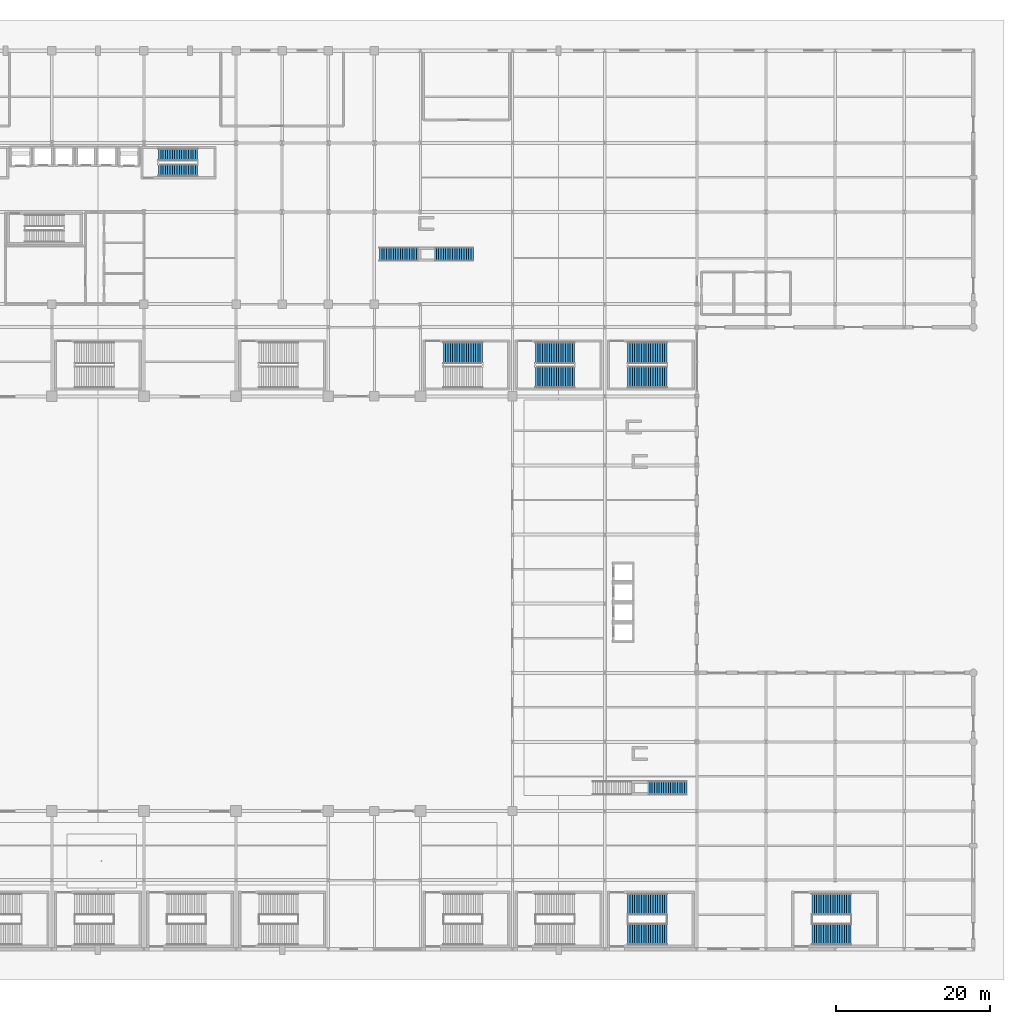
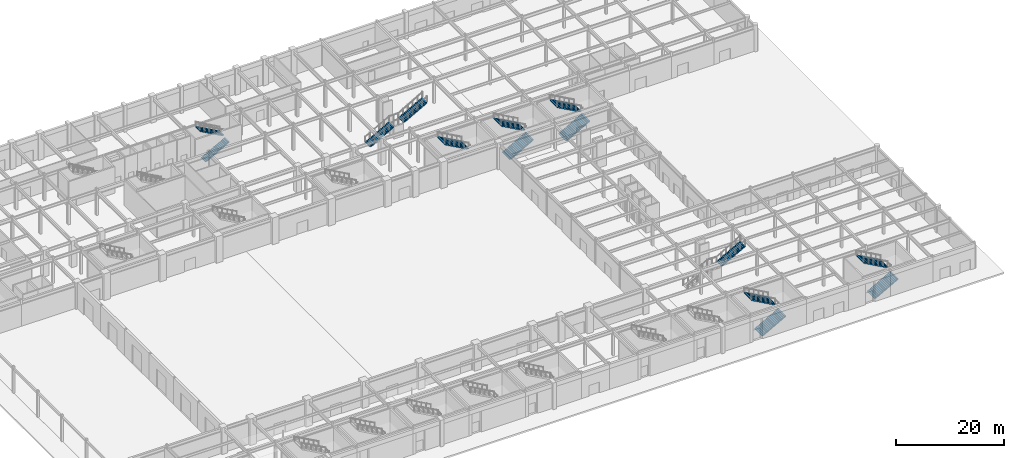
# One storey, part 33 of 44: 14 stair flights, 8 elements without a shape of their own.
"""IFC4 building model written with IfcOpenShell, lengths in metres."""

from ifc_helpers import new_model, si_unit, direction, frame, origin, place, context, subcontext, project, spatial, polyline, outline, extrude, material, type_object, element, aggregate, save


model = new_model("IFC4")

# Units and contexts
model_context = context("Model", 3, precision=1e-05, world=origin(), true_north=direction((0.0, 1.0)))
body_context = subcontext(model_context, "Body", "Model", "MODEL_VIEW")
ifc_project = project(units=[si_unit("LENGTHUNIT", "METRE"), si_unit("AREAUNIT", "SQUARE_METRE"), si_unit("VOLUMEUNIT", "CUBIC_METRE"), si_unit("PLANEANGLEUNIT", "RADIAN"), si_unit("MASSUNIT", "GRAM", prefix="KILO")], contexts=[model_context])

# Site, building, storey
site_placement = place(None, origin())
site = spatial("IfcSite", under=ifc_project, at=site_placement, CompositionType="ELEMENT")
building_placement = place(site_placement, origin())
building = spatial("IfcBuilding", under=site, at=building_placement, Name="Kaldorvane Square Convention Centre", CompositionType="ELEMENT")
storey_placement = place(building_placement, origin())
storey = spatial("IfcBuildingStorey", under=building, at=storey_placement, Name="L00", CompositionType="ELEMENT", Elevation=0.0)

# Stair, stair flight
ifc_material_1 = material(Name="Steel ASTM A500 Gr. C", Category="steel")
stair_type_1 = type_object("IfcStairType", Name="ST-STR-1800-6000", PredefinedType="STRAIGHT_RUN_STAIR", material=ifc_material_1)
stair_1_placement = place(storey_placement, origin())
stair_1 = element("IfcStair", 1, at=stair_1_placement, inside=storey, type_object=stair_type_1, Name="East Foyer Grand Stair F1 (L00)", PredefinedType="STRAIGHT_RUN_STAIR")
stair_flight_type_1 = type_object("IfcStairFlightType", Name="SF-FEAT-1800-18R", PredefinedType="STRAIGHT", material=ifc_material_1)
stair_flight_1_placement = place(storey_placement, frame((131.5800018310547, 21.0, 3.0), z_axis=(0.0, 0.0, 1.0), x_axis=(1.0, 0.0, 0.0)))
stair_flight_1 = element("IfcStairFlight", 2, at=stair_flight_1_placement, type_object=stair_flight_type_1, Name="East Foyer Grand Stair F1 Upper Flight (L00)", NumberOfRisers=18, NumberOfTreads=17, PredefinedType="STRAIGHT", RiserHeight=0.166666667, TreadLength=0.3, context=body_context, shape_type="SweptSolid", body=[
    extrude(outline(polyline([(0.0, 0.0), (0.0, 0.1666717529296875), (0.3000030517578125, 0.1666717529296875), (0.3000030517578125, 0.3333282470703125), (0.600006103515625, 0.3333282470703125), (0.600006103515625, 0.5), (0.899993896484375, 0.5), (0.899993896484375, 0.6666717529296875), (1.1999969482421875, 0.6666717529296875), (1.1999969482421875, 0.8333282470703125), (1.5, 0.8333282470703125), (1.5, 1.0), (1.8000030517578125, 1.0), (1.8000030517578125, 1.1666717529296875), (2.100006103515625, 1.1666717529296875), (2.100006103515625, 1.3333282470703125), (2.399993896484375, 1.3333282470703125), (2.399993896484375, 1.5), (2.6999969482421875, 1.5), (2.6999969482421875, 1.6666717529296875), (3.0, 1.6666717529296875), (3.0, 1.8333282470703125), (3.3000030517578125, 1.8333282470703125), (3.3000030517578125, 2.0), (3.600006103515625, 2.0), (3.600006103515625, 2.1666717529296875), (3.899993896484375, 2.1666717529296875), (3.899993896484375, 2.3333282470703125), (4.1999969482421875, 2.3333282470703125), (4.1999969482421875, 2.5), (4.5, 2.5), (4.5, 2.6666717529296875), (4.8000030517578125, 2.6666717529296875), (4.8000030517578125, 2.8333282470703125), (5.100006103515625, 2.8333282470703125), (5.100006103515625, 3.0), (5.100006103515625, 2.6045379638671875), (0.4118194580078125, 0.0), (0.0, 0.0)])), frame((0.0, 0.899993896484375, 0.0), z_axis=(0.0, -1.0, 0.0), x_axis=(1.0, 0.0, 0.0)), (0.0, 0.0, 1.0), 1.8000030517578125),
])
aggregate(stair_1, [stair_flight_1])

# Stair, stair flights
stair_2_placement = place(storey_placement, origin())
stair_2 = element("IfcStair", 3, at=stair_2_placement, inside=storey, type_object=stair_type_1, Name="Hotel Atrium Grand Stair F5 (L00)", PredefinedType="STRAIGHT_RUN_STAIR")
stair_flight_2_placement = place(storey_placement, frame((96.67999267578125, 90.5, 0.0), z_axis=(0.0, 0.0, 1.0), x_axis=(1.0, 0.0, 0.0)))
stair_flight_2 = element("IfcStairFlight", 4, at=stair_flight_2_placement, type_object=stair_flight_type_1, Name="Hotel Atrium Grand Stair F5 Lower Flight (L00)", NumberOfRisers=18, NumberOfTreads=17, PredefinedType="STRAIGHT", RiserHeight=0.166666667, TreadLength=0.3, context=body_context, shape_type="SweptSolid", body=[
    extrude(outline(polyline([(0.0, 0.0), (0.0, 0.1666717529296875), (0.3000030517578125, 0.1666717529296875), (0.3000030517578125, 0.3333282470703125), (0.600006103515625, 0.3333282470703125), (0.600006103515625, 0.5), (0.899993896484375, 0.5), (0.899993896484375, 0.6666717529296875), (1.1999969482421875, 0.6666717529296875), (1.1999969482421875, 0.8333282470703125), (1.5, 0.8333282470703125), (1.5, 1.0), (1.8000030517578125, 1.0), (1.8000030517578125, 1.1666717529296875), (2.100006103515625, 1.1666717529296875), (2.100006103515625, 1.3333282470703125), (2.399993896484375, 1.3333282470703125), (2.399993896484375, 1.5), (2.6999969482421875, 1.5), (2.6999969482421875, 1.6666717529296875), (3.0, 1.6666717529296875), (3.0, 1.8333282470703125), (3.3000030517578125, 1.8333282470703125), (3.3000030517578125, 2.0), (3.600006103515625, 2.0), (3.600006103515625, 2.1666717529296875), (3.899993896484375, 2.1666717529296875), (3.899993896484375, 2.3333282470703125), (4.1999969482421875, 2.3333282470703125), (4.1999969482421875, 2.5), (4.5, 2.5), (4.5, 2.6666717529296875), (4.8000030517578125, 2.6666717529296875), (4.8000030517578125, 2.8333282470703125), (5.100006103515625, 2.8333282470703125), (5.100006103515625, 3.0), (5.100006103515625, 2.6045379638671875), (0.4118194580078125, 0.0), (0.0, 0.0)])), frame((0.0, 0.899993896484375, 0.0), z_axis=(0.0, -1.0, 0.0), x_axis=(1.0, 0.0, 0.0)), (0.0, 0.0, 1.0), 1.8000030517578125),
])
stair_flight_3_placement = place(storey_placement, frame((103.77999877929688, 90.5, 3.0), z_axis=(0.0, 0.0, 1.0), x_axis=(1.0, 0.0, 0.0)))
stair_flight_3 = element("IfcStairFlight", 5, at=stair_flight_3_placement, type_object=stair_flight_type_1, Name="Hotel Atrium Grand Stair F5 Upper Flight (L00)", NumberOfRisers=18, NumberOfTreads=17, PredefinedType="STRAIGHT", RiserHeight=0.166666667, TreadLength=0.3, context=body_context, shape_type="SweptSolid", body=[
    extrude(outline(polyline([(0.0, 0.0), (0.0, 0.1666717529296875), (0.3000030517578125, 0.1666717529296875), (0.3000030517578125, 0.3333282470703125), (0.600006103515625, 0.3333282470703125), (0.600006103515625, 0.5), (0.899993896484375, 0.5), (0.899993896484375, 0.6666717529296875), (1.1999969482421875, 0.6666717529296875), (1.1999969482421875, 0.8333282470703125), (1.5, 0.8333282470703125), (1.5, 1.0), (1.8000030517578125, 1.0), (1.8000030517578125, 1.1666717529296875), (2.100006103515625, 1.1666717529296875), (2.100006103515625, 1.3333282470703125), (2.399993896484375, 1.3333282470703125), (2.399993896484375, 1.5), (2.6999969482421875, 1.5), (2.6999969482421875, 1.6666717529296875), (3.0, 1.6666717529296875), (3.0, 1.8333282470703125), (3.3000030517578125, 1.8333282470703125), (3.3000030517578125, 2.0), (3.600006103515625, 2.0), (3.600006103515625, 2.1666717529296875), (3.899993896484375, 2.1666717529296875), (3.899993896484375, 2.3333282470703125), (4.1999969482421875, 2.3333282470703125), (4.1999969482421875, 2.5), (4.5, 2.5), (4.5, 2.6666717529296875), (4.8000030517578125, 2.6666717529296875), (4.8000030517578125, 2.8333282470703125), (5.100006103515625, 2.8333282470703125), (5.100006103515625, 3.0), (5.100006103515625, 2.6045379638671875), (0.4118194580078125, 0.0), (0.0, 0.0)])), frame((0.0, 0.899993896484375, 0.0), z_axis=(0.0, -1.0, 0.0), x_axis=(1.0, 0.0, 0.0)), (0.0, 0.0, 1.0), 1.8000030517578125),
])
aggregate(stair_2, [stair_flight_2, stair_flight_3])

ifc_material_2 = material(Name="Concrete f'c = 42 MPa (Normalweight)", Category="concrete")
stair_type_2 = type_object("IfcStairType", Name="ST-DL-1600-6000", PredefinedType="HALF_TURN_STAIR", material=ifc_material_2)
stair_3_placement = place(storey_placement, origin())
stair_3 = element("IfcStair", 6, at=stair_3_placement, inside=storey, type_object=stair_type_2, Name="Tower Exit Stair T2 (L00)", PredefinedType="HALF_TURN_STAIR")
stair_flight_type_2 = type_object("IfcStairFlightType", Name="SF-STR-1600-18R", PredefinedType="STRAIGHT", material=ifc_material_2)
stair_flight_4_placement = place(storey_placement, frame((67.89999389648438, 101.41000366210938, 0.0), z_axis=(0.0, 0.0, 1.0), x_axis=(1.0, 0.0, 0.0)))
stair_flight_4 = element("IfcStairFlight", 7, at=stair_flight_4_placement, type_object=stair_flight_type_2, Name="Tower Exit Stair T2 Flight 1 (L00)", NumberOfRisers=18, NumberOfTreads=17, PredefinedType="STRAIGHT", RiserHeight=0.166666667, TreadLength=0.3, context=body_context, shape_type="SweptSolid", body=[
    extrude(outline(polyline([(0.0, 0.0), (0.0, 0.1666717529296875), (0.3000030517578125, 0.1666717529296875), (0.3000030517578125, 0.3333282470703125), (0.600006103515625, 0.3333282470703125), (0.600006103515625, 0.5), (0.899993896484375, 0.5), (0.899993896484375, 0.6666717529296875), (1.1999969482421875, 0.6666717529296875), (1.1999969482421875, 0.8333282470703125), (1.5, 0.8333282470703125), (1.5, 1.0), (1.8000030517578125, 1.0), (1.8000030517578125, 1.1666717529296875), (2.100006103515625, 1.1666717529296875), (2.100006103515625, 1.3333282470703125), (2.399993896484375, 1.3333282470703125), (2.399993896484375, 1.5), (2.6999969482421875, 1.5), (2.6999969482421875, 1.6666717529296875), (3.0, 1.6666717529296875), (3.0, 1.8333282470703125), (3.3000030517578125, 1.8333282470703125), (3.3000030517578125, 2.0), (3.600006103515625, 2.0), (3.600006103515625, 2.1666717529296875), (3.899993896484375, 2.1666717529296875), (3.899993896484375, 2.3333282470703125), (4.1999969482421875, 2.3333282470703125), (4.1999969482421875, 2.5), (4.5, 2.5), (4.5, 2.6666717529296875), (4.8000030517578125, 2.6666717529296875), (4.8000030517578125, 2.8333282470703125), (5.100006103515625, 2.8333282470703125), (5.100006103515625, 3.0), (5.100006103515625, 2.6045379638671875), (0.4118194580078125, 0.0), (0.0, 0.0)])), frame((0.0, 0.8000030517578125, 0.0), z_axis=(0.0, -1.0, 0.0), x_axis=(1.0, 0.0, 0.0)), (0.0, 0.0, 1.0), 1.600006103515625),
])
stair_flight_5_placement = place(storey_placement, frame((73.0, 103.44999694824219, 3.0), z_axis=(0.0, 0.0, 1.0), x_axis=(-1.0, 0.0, 0.0)))
stair_flight_5 = element("IfcStairFlight", 8, at=stair_flight_5_placement, type_object=stair_flight_type_2, Name="Tower Exit Stair T2 Flight 2 (L00)", NumberOfRisers=18, NumberOfTreads=17, PredefinedType="STRAIGHT", RiserHeight=0.166666667, TreadLength=0.3, context=body_context, shape_type="SweptSolid", body=[
    extrude(outline(polyline([(0.0, 0.0), (0.0, 0.1666717529296875), (0.3000030517578125, 0.1666717529296875), (0.3000030517578125, 0.3333282470703125), (0.600006103515625, 0.3333282470703125), (0.600006103515625, 0.5), (0.899993896484375, 0.5), (0.899993896484375, 0.6666717529296875), (1.1999969482421875, 0.6666717529296875), (1.1999969482421875, 0.8333282470703125), (1.5, 0.8333282470703125), (1.5, 1.0), (1.8000030517578125, 1.0), (1.8000030517578125, 1.1666717529296875), (2.100006103515625, 1.1666717529296875), (2.100006103515625, 1.3333282470703125), (2.399993896484375, 1.3333282470703125), (2.399993896484375, 1.5), (2.6999969482421875, 1.5), (2.6999969482421875, 1.6666717529296875), (3.0, 1.6666717529296875), (3.0, 1.8333282470703125), (3.3000030517578125, 1.8333282470703125), (3.3000030517578125, 2.0), (3.600006103515625, 2.0), (3.600006103515625, 2.1666717529296875), (3.899993896484375, 2.1666717529296875), (3.899993896484375, 2.3333282470703125), (4.1999969482421875, 2.3333282470703125), (4.1999969482421875, 2.5), (4.5, 2.5), (4.5, 2.6666717529296875), (4.8000030517578125, 2.6666717529296875), (4.8000030517578125, 2.8333282470703125), (5.100006103515625, 2.8333282470703125), (5.100006103515625, 3.0), (5.100006103515625, 2.6045379638671875), (0.4118194580078125, 0.0), (0.0, 0.0)])), frame((0.0, 0.8000030517578125, 0.0), z_axis=(0.0, -1.0, 0.0), x_axis=(1.0, 0.0, 0.0)), (0.0, 0.0, 1.0), 1.600006103515625),
])
aggregate(stair_3, [stair_flight_4, stair_flight_5])

stair_type_3 = type_object("IfcStairType", Name="ST-DL-2800-6000-D6710", PredefinedType="HALF_TURN_STAIR", material=ifc_material_2)
stair_4_placement = place(storey_placement, origin())
stair_4 = element("IfcStair", 9, at=stair_4_placement, inside=storey, type_object=stair_type_3, Name="Convention Exit Stair C10 (L00)", PredefinedType="HALF_TURN_STAIR")
stair_flight_type_3 = type_object("IfcStairFlightType", Name="SF-STR-2800-18R", PredefinedType="STRAIGHT", material=ifc_material_2)
stair_flight_6_placement = place(storey_placement, frame((128.99000549316406, 1.9499969482421875, 0.0), z_axis=(0.0, 0.0, 1.0), x_axis=(1.0, 0.0, 0.0)))
stair_flight_6 = element("IfcStairFlight", 10, at=stair_flight_6_placement, type_object=stair_flight_type_3, Name="Convention Exit Stair C10 Flight 1 (L00)", NumberOfRisers=18, NumberOfTreads=17, PredefinedType="STRAIGHT", RiserHeight=0.166666667, TreadLength=0.3, context=body_context, shape_type="SweptSolid", body=[
    extrude(outline(polyline([(0.0, 0.0), (0.0, 0.1666717529296875), (0.3000030517578125, 0.1666717529296875), (0.3000030517578125, 0.3333282470703125), (0.600006103515625, 0.3333282470703125), (0.600006103515625, 0.5), (0.899993896484375, 0.5), (0.899993896484375, 0.6666717529296875), (1.1999969482421875, 0.6666717529296875), (1.1999969482421875, 0.8333282470703125), (1.5, 0.8333282470703125), (1.5, 1.0), (1.8000030517578125, 1.0), (1.8000030517578125, 1.1666717529296875), (2.100006103515625, 1.1666717529296875), (2.100006103515625, 1.3333282470703125), (2.399993896484375, 1.3333282470703125), (2.399993896484375, 1.5), (2.6999969482421875, 1.5), (2.6999969482421875, 1.6666717529296875), (3.0, 1.6666717529296875), (3.0, 1.8333282470703125), (3.3000030517578125, 1.8333282470703125), (3.3000030517578125, 2.0), (3.600006103515625, 2.0), (3.600006103515625, 2.1666717529296875), (3.899993896484375, 2.1666717529296875), (3.899993896484375, 2.3333282470703125), (4.1999969482421875, 2.3333282470703125), (4.1999969482421875, 2.5), (4.5, 2.5), (4.5, 2.6666717529296875), (4.8000030517578125, 2.6666717529296875), (4.8000030517578125, 2.8333282470703125), (5.100006103515625, 2.8333282470703125), (5.100006103515625, 3.0), (5.100006103515625, 2.6045379638671875), (0.4118194580078125, 0.0), (0.0, 0.0)])), frame((0.0, 1.399993896484375, 0.0), z_axis=(0.0, -1.0, 0.0), x_axis=(1.0, 0.0, 0.0)), (0.0, 0.0, 1.0), 2.8000030517578125),
])
stair_flight_7_placement = place(storey_placement, frame((134.08999633789062, 5.8600006103515625, 3.0), z_axis=(0.0, 0.0, 1.0), x_axis=(-1.0, 0.0, 0.0)))
stair_flight_7 = element("IfcStairFlight", 11, at=stair_flight_7_placement, type_object=stair_flight_type_3, Name="Convention Exit Stair C10 Flight 2 (L00)", NumberOfRisers=18, NumberOfTreads=17, PredefinedType="STRAIGHT", RiserHeight=0.166666667, TreadLength=0.3, context=body_context, shape_type="SweptSolid", body=[
    extrude(outline(polyline([(0.0, 0.0), (0.0, 0.1666717529296875), (0.3000030517578125, 0.1666717529296875), (0.3000030517578125, 0.3333282470703125), (0.600006103515625, 0.3333282470703125), (0.600006103515625, 0.5), (0.899993896484375, 0.5), (0.899993896484375, 0.6666717529296875), (1.1999969482421875, 0.6666717529296875), (1.1999969482421875, 0.8333282470703125), (1.5, 0.8333282470703125), (1.5, 1.0), (1.8000030517578125, 1.0), (1.8000030517578125, 1.1666717529296875), (2.100006103515625, 1.1666717529296875), (2.100006103515625, 1.3333282470703125), (2.399993896484375, 1.3333282470703125), (2.399993896484375, 1.5), (2.6999969482421875, 1.5), (2.6999969482421875, 1.6666717529296875), (3.0, 1.6666717529296875), (3.0, 1.8333282470703125), (3.3000030517578125, 1.8333282470703125), (3.3000030517578125, 2.0), (3.600006103515625, 2.0), (3.600006103515625, 2.1666717529296875), (3.899993896484375, 2.1666717529296875), (3.899993896484375, 2.3333282470703125), (4.1999969482421875, 2.3333282470703125), (4.1999969482421875, 2.5), (4.5, 2.5), (4.5, 2.6666717529296875), (4.8000030517578125, 2.6666717529296875), (4.8000030517578125, 2.8333282470703125), (5.100006103515625, 2.8333282470703125), (5.100006103515625, 3.0), (5.100006103515625, 2.6045379638671875), (0.4118194580078125, 0.0), (0.0, 0.0)])), frame((0.0, 1.399993896484375, 0.0), z_axis=(0.0, -1.0, 0.0), x_axis=(1.0, 0.0, 0.0)), (0.0, 0.0, 1.0), 2.8000030517578125),
])
aggregate(stair_4, [stair_flight_6, stair_flight_7])

stair_5_placement = place(storey_placement, origin())
stair_5 = element("IfcStair", 12, at=stair_5_placement, inside=storey, type_object=stair_type_3, Name="Convention Exit Stair C11 (L00)", PredefinedType="HALF_TURN_STAIR")
stair_flight_8_placement = place(storey_placement, frame((152.99000549316406, 1.9499969482421875, 0.0), z_axis=(0.0, 0.0, 1.0), x_axis=(1.0, 0.0, 0.0)))
stair_flight_8 = element("IfcStairFlight", 13, at=stair_flight_8_placement, type_object=stair_flight_type_3, Name="Convention Exit Stair C11 Flight 1 (L00)", NumberOfRisers=18, NumberOfTreads=17, PredefinedType="STRAIGHT", RiserHeight=0.166666667, TreadLength=0.3, context=body_context, shape_type="SweptSolid", body=[
    extrude(outline(polyline([(0.0, 0.0), (0.0, 0.1666717529296875), (0.3000030517578125, 0.1666717529296875), (0.3000030517578125, 0.3333282470703125), (0.600006103515625, 0.3333282470703125), (0.600006103515625, 0.5), (0.899993896484375, 0.5), (0.899993896484375, 0.6666717529296875), (1.1999969482421875, 0.6666717529296875), (1.1999969482421875, 0.8333282470703125), (1.5, 0.8333282470703125), (1.5, 1.0), (1.8000030517578125, 1.0), (1.8000030517578125, 1.1666717529296875), (2.100006103515625, 1.1666717529296875), (2.100006103515625, 1.3333282470703125), (2.399993896484375, 1.3333282470703125), (2.399993896484375, 1.5), (2.6999969482421875, 1.5), (2.6999969482421875, 1.6666717529296875), (3.0, 1.6666717529296875), (3.0, 1.8333282470703125), (3.3000030517578125, 1.8333282470703125), (3.3000030517578125, 2.0), (3.600006103515625, 2.0), (3.600006103515625, 2.1666717529296875), (3.899993896484375, 2.1666717529296875), (3.899993896484375, 2.3333282470703125), (4.1999969482421875, 2.3333282470703125), (4.1999969482421875, 2.5), (4.5, 2.5), (4.5, 2.6666717529296875), (4.8000030517578125, 2.6666717529296875), (4.8000030517578125, 2.8333282470703125), (5.100006103515625, 2.8333282470703125), (5.100006103515625, 3.0), (5.100006103515625, 2.6045379638671875), (0.4118194580078125, 0.0), (0.0, 0.0)])), frame((0.0, 1.399993896484375, 0.0), z_axis=(0.0, -1.0, 0.0), x_axis=(1.0, 0.0, 0.0)), (0.0, 0.0, 1.0), 2.8000030517578125),
])
stair_flight_9_placement = place(storey_placement, frame((158.08999633789062, 5.8600006103515625, 3.0), z_axis=(0.0, 0.0, 1.0), x_axis=(-1.0, 0.0, 0.0)))
stair_flight_9 = element("IfcStairFlight", 14, at=stair_flight_9_placement, type_object=stair_flight_type_3, Name="Convention Exit Stair C11 Flight 2 (L00)", NumberOfRisers=18, NumberOfTreads=17, PredefinedType="STRAIGHT", RiserHeight=0.166666667, TreadLength=0.3, context=body_context, shape_type="SweptSolid", body=[
    extrude(outline(polyline([(0.0, 0.0), (0.0, 0.1666717529296875), (0.3000030517578125, 0.1666717529296875), (0.3000030517578125, 0.3333282470703125), (0.600006103515625, 0.3333282470703125), (0.600006103515625, 0.5), (0.899993896484375, 0.5), (0.899993896484375, 0.6666717529296875), (1.1999969482421875, 0.6666717529296875), (1.1999969482421875, 0.8333282470703125), (1.5, 0.8333282470703125), (1.5, 1.0), (1.8000030517578125, 1.0), (1.8000030517578125, 1.1666717529296875), (2.100006103515625, 1.1666717529296875), (2.100006103515625, 1.3333282470703125), (2.399993896484375, 1.3333282470703125), (2.399993896484375, 1.5), (2.6999969482421875, 1.5), (2.6999969482421875, 1.6666717529296875), (3.0, 1.6666717529296875), (3.0, 1.8333282470703125), (3.3000030517578125, 1.8333282470703125), (3.3000030517578125, 2.0), (3.600006103515625, 2.0), (3.600006103515625, 2.1666717529296875), (3.899993896484375, 2.1666717529296875), (3.899993896484375, 2.3333282470703125), (4.1999969482421875, 2.3333282470703125), (4.1999969482421875, 2.5), (4.5, 2.5), (4.5, 2.6666717529296875), (4.8000030517578125, 2.6666717529296875), (4.8000030517578125, 2.8333282470703125), (5.100006103515625, 2.8333282470703125), (5.100006103515625, 3.0), (5.100006103515625, 2.6045379638671875), (0.4118194580078125, 0.0), (0.0, 0.0)])), frame((0.0, 1.399993896484375, 0.0), z_axis=(0.0, -1.0, 0.0), x_axis=(1.0, 0.0, 0.0)), (0.0, 0.0, 1.0), 2.8000030517578125),
])
aggregate(stair_5, [stair_flight_8, stair_flight_9])

# Stair, stair flight
stair_type_4 = type_object("IfcStairType", Name="ST-DL-2800-6000", PredefinedType="HALF_TURN_STAIR", material=ifc_material_2)
stair_6_placement = place(storey_placement, origin())
stair_6 = element("IfcStair", 15, at=stair_6_placement, inside=storey, type_object=stair_type_4, Name="Convention Exit Stair C16 (L00)", PredefinedType="HALF_TURN_STAIR")
stair_flight_10_placement = place(storey_placement, frame((110.08999633789062, 77.66000366210938, 3.0), z_axis=(0.0, 0.0, 1.0), x_axis=(-1.0, 0.0, 0.0)))
stair_flight_10 = element("IfcStairFlight", 16, at=stair_flight_10_placement, type_object=stair_flight_type_3, Name="Convention Exit Stair C16 Flight 2 (L00)", NumberOfRisers=18, NumberOfTreads=17, PredefinedType="STRAIGHT", RiserHeight=0.166666667, TreadLength=0.3, context=body_context, shape_type="SweptSolid", body=[
    extrude(outline(polyline([(0.0, 0.0), (0.0, 0.1666717529296875), (0.3000030517578125, 0.1666717529296875), (0.3000030517578125, 0.3333282470703125), (0.600006103515625, 0.3333282470703125), (0.600006103515625, 0.5), (0.899993896484375, 0.5), (0.899993896484375, 0.6666717529296875), (1.1999969482421875, 0.6666717529296875), (1.1999969482421875, 0.8333282470703125), (1.5, 0.8333282470703125), (1.5, 1.0), (1.8000030517578125, 1.0), (1.8000030517578125, 1.1666717529296875), (2.100006103515625, 1.1666717529296875), (2.100006103515625, 1.3333282470703125), (2.399993896484375, 1.3333282470703125), (2.399993896484375, 1.5), (2.6999969482421875, 1.5), (2.6999969482421875, 1.6666717529296875), (3.0, 1.6666717529296875), (3.0, 1.8333282470703125), (3.3000030517578125, 1.8333282470703125), (3.3000030517578125, 2.0), (3.600006103515625, 2.0), (3.600006103515625, 2.1666717529296875), (3.899993896484375, 2.1666717529296875), (3.899993896484375, 2.3333282470703125), (4.1999969482421875, 2.3333282470703125), (4.1999969482421875, 2.5), (4.5, 2.5), (4.5, 2.6666717529296875), (4.8000030517578125, 2.6666717529296875), (4.8000030517578125, 2.8333282470703125), (5.100006103515625, 2.8333282470703125), (5.100006103515625, 3.0), (5.100006103515625, 2.6045379638671875), (0.4118194580078125, 0.0), (0.0, 0.0)])), frame((0.0, 1.399993896484375, 0.0), z_axis=(0.0, -1.0, 0.0), x_axis=(1.0, 0.0, 0.0)), (0.0, 0.0, 1.0), 2.8000030517578125),
])
aggregate(stair_6, [stair_flight_10])

# Stair, stair flights
stair_7_placement = place(storey_placement, origin())
stair_7 = element("IfcStair", 17, at=stair_7_placement, inside=storey, type_object=stair_type_4, Name="Convention Exit Stair C17 (L00)", PredefinedType="HALF_TURN_STAIR")
stair_flight_11_placement = place(storey_placement, frame((116.99000549316406, 74.5, 0.0), z_axis=(0.0, 0.0, 1.0), x_axis=(1.0, 0.0, 0.0)))
stair_flight_11 = element("IfcStairFlight", 18, at=stair_flight_11_placement, type_object=stair_flight_type_3, Name="Convention Exit Stair C17 Flight 1 (L00)", NumberOfRisers=18, NumberOfTreads=17, PredefinedType="STRAIGHT", RiserHeight=0.166666667, TreadLength=0.3, context=body_context, shape_type="SweptSolid", body=[
    extrude(outline(polyline([(0.0, 0.0), (0.0, 0.1666717529296875), (0.3000030517578125, 0.1666717529296875), (0.3000030517578125, 0.3333282470703125), (0.600006103515625, 0.3333282470703125), (0.600006103515625, 0.5), (0.899993896484375, 0.5), (0.899993896484375, 0.6666717529296875), (1.1999969482421875, 0.6666717529296875), (1.1999969482421875, 0.8333282470703125), (1.5, 0.8333282470703125), (1.5, 1.0), (1.8000030517578125, 1.0), (1.8000030517578125, 1.1666717529296875), (2.100006103515625, 1.1666717529296875), (2.100006103515625, 1.3333282470703125), (2.399993896484375, 1.3333282470703125), (2.399993896484375, 1.5), (2.6999969482421875, 1.5), (2.6999969482421875, 1.6666717529296875), (3.0, 1.6666717529296875), (3.0, 1.8333282470703125), (3.3000030517578125, 1.8333282470703125), (3.3000030517578125, 2.0), (3.600006103515625, 2.0), (3.600006103515625, 2.1666717529296875), (3.899993896484375, 2.1666717529296875), (3.899993896484375, 2.3333282470703125), (4.1999969482421875, 2.3333282470703125), (4.1999969482421875, 2.5), (4.5, 2.5), (4.5, 2.6666717529296875), (4.8000030517578125, 2.6666717529296875), (4.8000030517578125, 2.8333282470703125), (5.100006103515625, 2.8333282470703125), (5.100006103515625, 3.0), (5.100006103515625, 2.6045379638671875), (0.4118194580078125, 0.0), (0.0, 0.0)])), frame((0.0, 1.399993896484375, 0.0), z_axis=(0.0, -1.0, 0.0), x_axis=(1.0, 0.0, 0.0)), (0.0, 0.0, 1.0), 2.8000030517578125),
])
stair_flight_12_placement = place(storey_placement, frame((122.08999633789062, 77.66000366210938, 3.0), z_axis=(0.0, 0.0, 1.0), x_axis=(-1.0, 0.0, 0.0)))
stair_flight_12 = element("IfcStairFlight", 19, at=stair_flight_12_placement, type_object=stair_flight_type_3, Name="Convention Exit Stair C17 Flight 2 (L00)", NumberOfRisers=18, NumberOfTreads=17, PredefinedType="STRAIGHT", RiserHeight=0.166666667, TreadLength=0.3, context=body_context, shape_type="SweptSolid", body=[
    extrude(outline(polyline([(0.0, 0.0), (0.0, 0.1666717529296875), (0.3000030517578125, 0.1666717529296875), (0.3000030517578125, 0.3333282470703125), (0.600006103515625, 0.3333282470703125), (0.600006103515625, 0.5), (0.899993896484375, 0.5), (0.899993896484375, 0.6666717529296875), (1.1999969482421875, 0.6666717529296875), (1.1999969482421875, 0.8333282470703125), (1.5, 0.8333282470703125), (1.5, 1.0), (1.8000030517578125, 1.0), (1.8000030517578125, 1.1666717529296875), (2.100006103515625, 1.1666717529296875), (2.100006103515625, 1.3333282470703125), (2.399993896484375, 1.3333282470703125), (2.399993896484375, 1.5), (2.6999969482421875, 1.5), (2.6999969482421875, 1.6666717529296875), (3.0, 1.6666717529296875), (3.0, 1.8333282470703125), (3.3000030517578125, 1.8333282470703125), (3.3000030517578125, 2.0), (3.600006103515625, 2.0), (3.600006103515625, 2.1666717529296875), (3.899993896484375, 2.1666717529296875), (3.899993896484375, 2.3333282470703125), (4.1999969482421875, 2.3333282470703125), (4.1999969482421875, 2.5), (4.5, 2.5), (4.5, 2.6666717529296875), (4.8000030517578125, 2.6666717529296875), (4.8000030517578125, 2.8333282470703125), (5.100006103515625, 2.8333282470703125), (5.100006103515625, 3.0), (5.100006103515625, 2.6045379638671875), (0.4118194580078125, 0.0), (0.0, 0.0)])), frame((0.0, 1.399993896484375, 0.0), z_axis=(0.0, -1.0, 0.0), x_axis=(1.0, 0.0, 0.0)), (0.0, 0.0, 1.0), 2.8000030517578125),
])
aggregate(stair_7, [stair_flight_11, stair_flight_12])

stair_8_placement = place(storey_placement, origin())
stair_8 = element("IfcStair", 20, at=stair_8_placement, inside=storey, type_object=stair_type_4, Name="Convention Exit Stair C18 (L00)", PredefinedType="HALF_TURN_STAIR")
stair_flight_13_placement = place(storey_placement, frame((128.99000549316406, 74.5, 0.0), z_axis=(0.0, 0.0, 1.0), x_axis=(1.0, 0.0, 0.0)))
stair_flight_13 = element("IfcStairFlight", 21, at=stair_flight_13_placement, type_object=stair_flight_type_3, Name="Convention Exit Stair C18 Flight 1 (L00)", NumberOfRisers=18, NumberOfTreads=17, PredefinedType="STRAIGHT", RiserHeight=0.166666667, TreadLength=0.3, context=body_context, shape_type="SweptSolid", body=[
    extrude(outline(polyline([(0.0, 0.0), (0.0, 0.1666717529296875), (0.3000030517578125, 0.1666717529296875), (0.3000030517578125, 0.3333282470703125), (0.600006103515625, 0.3333282470703125), (0.600006103515625, 0.5), (0.899993896484375, 0.5), (0.899993896484375, 0.6666717529296875), (1.1999969482421875, 0.6666717529296875), (1.1999969482421875, 0.8333282470703125), (1.5, 0.8333282470703125), (1.5, 1.0), (1.8000030517578125, 1.0), (1.8000030517578125, 1.1666717529296875), (2.100006103515625, 1.1666717529296875), (2.100006103515625, 1.3333282470703125), (2.399993896484375, 1.3333282470703125), (2.399993896484375, 1.5), (2.6999969482421875, 1.5), (2.6999969482421875, 1.6666717529296875), (3.0, 1.6666717529296875), (3.0, 1.8333282470703125), (3.3000030517578125, 1.8333282470703125), (3.3000030517578125, 2.0), (3.600006103515625, 2.0), (3.600006103515625, 2.1666717529296875), (3.899993896484375, 2.1666717529296875), (3.899993896484375, 2.3333282470703125), (4.1999969482421875, 2.3333282470703125), (4.1999969482421875, 2.5), (4.5, 2.5), (4.5, 2.6666717529296875), (4.8000030517578125, 2.6666717529296875), (4.8000030517578125, 2.8333282470703125), (5.100006103515625, 2.8333282470703125), (5.100006103515625, 3.0), (5.100006103515625, 2.6045379638671875), (0.4118194580078125, 0.0), (0.0, 0.0)])), frame((0.0, 1.399993896484375, 0.0), z_axis=(0.0, -1.0, 0.0), x_axis=(1.0, 0.0, 0.0)), (0.0, 0.0, 1.0), 2.8000030517578125),
])
stair_flight_14_placement = place(storey_placement, frame((134.08999633789062, 77.66000366210938, 3.0), z_axis=(0.0, 0.0, 1.0), x_axis=(-1.0, 0.0, 0.0)))
stair_flight_14 = element("IfcStairFlight", 22, at=stair_flight_14_placement, type_object=stair_flight_type_3, Name="Convention Exit Stair C18 Flight 2 (L00)", NumberOfRisers=18, NumberOfTreads=17, PredefinedType="STRAIGHT", RiserHeight=0.166666667, TreadLength=0.3, context=body_context, shape_type="SweptSolid", body=[
    extrude(outline(polyline([(0.0, 0.0), (0.0, 0.1666717529296875), (0.3000030517578125, 0.1666717529296875), (0.3000030517578125, 0.3333282470703125), (0.600006103515625, 0.3333282470703125), (0.600006103515625, 0.5), (0.899993896484375, 0.5), (0.899993896484375, 0.6666717529296875), (1.1999969482421875, 0.6666717529296875), (1.1999969482421875, 0.8333282470703125), (1.5, 0.8333282470703125), (1.5, 1.0), (1.8000030517578125, 1.0), (1.8000030517578125, 1.1666717529296875), (2.100006103515625, 1.1666717529296875), (2.100006103515625, 1.3333282470703125), (2.399993896484375, 1.3333282470703125), (2.399993896484375, 1.5), (2.6999969482421875, 1.5), (2.6999969482421875, 1.6666717529296875), (3.0, 1.6666717529296875), (3.0, 1.8333282470703125), (3.3000030517578125, 1.8333282470703125), (3.3000030517578125, 2.0), (3.600006103515625, 2.0), (3.600006103515625, 2.1666717529296875), (3.899993896484375, 2.1666717529296875), (3.899993896484375, 2.3333282470703125), (4.1999969482421875, 2.3333282470703125), (4.1999969482421875, 2.5), (4.5, 2.5), (4.5, 2.6666717529296875), (4.8000030517578125, 2.6666717529296875), (4.8000030517578125, 2.8333282470703125), (5.100006103515625, 2.8333282470703125), (5.100006103515625, 3.0), (5.100006103515625, 2.6045379638671875), (0.4118194580078125, 0.0), (0.0, 0.0)])), frame((0.0, 1.399993896484375, 0.0), z_axis=(0.0, -1.0, 0.0), x_axis=(1.0, 0.0, 0.0)), (0.0, 0.0, 1.0), 2.8000030517578125),
])
aggregate(stair_8, [stair_flight_13, stair_flight_14])

save(model, "model.ifc")
